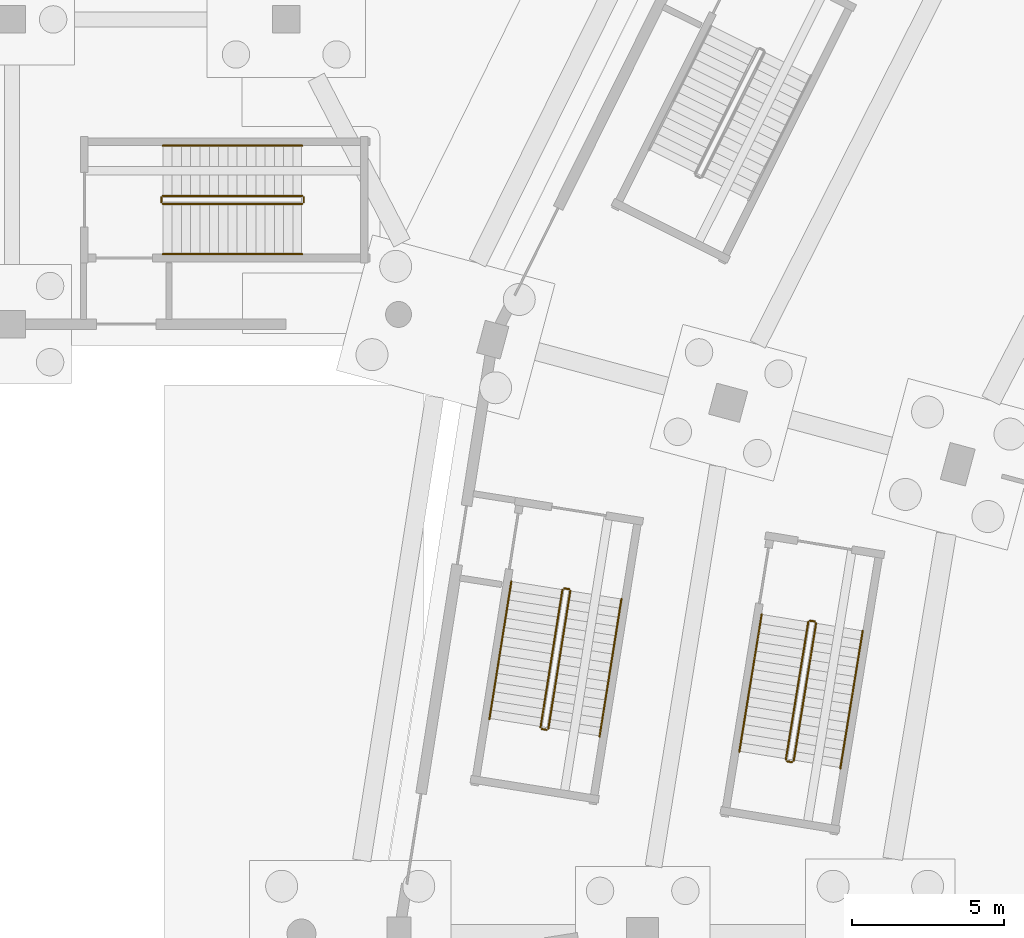
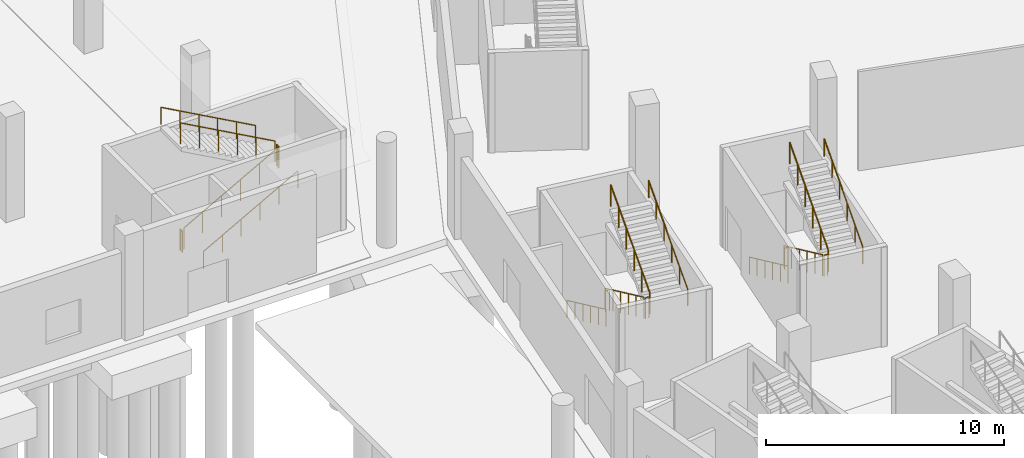
# One storey, part 67 of 103: 18 railings.
"""IFC4 building model written with IfcOpenShell, lengths in metres."""

import ifcopenshell
import ifcopenshell.guid

model = None  # the IFC model being written
_history = None  # IfcOwnerHistory: only IFC2X3 demands one
_inside = {}  # id of a spatial element -> (the spatial element, [elements in it])
_under = {}  # id of a project, library or spatial element -> (it, [spatial elements below it])
_declared = {}  # id of a project -> (the project, [libraries it declares])
_typed = {}  # id of a type object -> (the type object, [elements of that type])
_made_of = {}  # id of a material, layer set ... -> (it, [elements and type objects made of it])


def new_model(schema):
    """Start an empty IFC model of exactly this schema.

    Asked for "IFC4X3", IfcOpenShell would pick the latest addendum, in which some entities
    have other attributes; the version numbers below select the first issue.
    IFC2X3 requires an IfcOwnerHistory on every rooted entity: one is made here for all.
    """
    global model, _history
    if schema == "IFC4X3":
        model = ifcopenshell.file(schema_version=(4, 3, 0, 0))
    else:
        model = ifcopenshell.file(schema=schema)
    _inside.clear()
    _under.clear()
    _declared.clear()
    _typed.clear()
    _made_of.clear()
    _history = None
    if model.schema == "IFC2X3":
        org = make("IfcOrganization", Name="unknown")
        user = make(
            "IfcPersonAndOrganization",
            ThePerson=make("IfcPerson", FamilyName="unknown"),
            TheOrganization=org,
        )
        app = make(
            "IfcApplication",
            ApplicationDeveloper=org,
            Version="unknown",
            ApplicationFullName="unknown",
            ApplicationIdentifier="unknown",
        )
        _history = make(
            "IfcOwnerHistory",
            OwningUser=user,
            OwningApplication=app,
            ChangeAction="ADDED",
            CreationDate=0,
        )
    return model


def make(cls, **values):
    """One entity of the class cls with the attributes given. An attribute that is None is left unset."""
    return model.create_entity(
        cls, **{name: value for name, value in values.items() if value is not None}
    )


def rooted(cls, **values):
    """An entity with a GlobalId (a new one), such as an element, a storey or a relation."""
    return make(cls, GlobalId=ifcopenshell.guid.new(), OwnerHistory=_history, **values)


def si_unit(unit_type, name, prefix=None):
    """IfcSIUnit, for example si_unit("LENGTHUNIT", "METRE", prefix="MILLI")."""
    return make("IfcSIUnit", UnitType=unit_type, Prefix=prefix, Name=name)


def assignment(units):
    """IfcUnitAssignment: the units of a project."""
    return None if units is None else make("IfcUnitAssignment", Units=units)


def point(xyz):
    """IfcCartesianPoint."""
    return None if xyz is None else make("IfcCartesianPoint", Coordinates=xyz)


def direction(xyz):
    """IfcDirection."""
    return None if xyz is None else make("IfcDirection", DirectionRatios=xyz)


def frame(location, z_axis=None, x_axis=None):
    """IfcAxis2Placement3D, a coordinate frame: its origin and axes. An axis left out is left unset."""
    return make(
        "IfcAxis2Placement3D",
        Location=point(location),
        Axis=direction(z_axis),
        RefDirection=direction(x_axis),
    )


def frame_2d(location, x_axis=None):
    """IfcAxis2Placement2D, a coordinate frame in the plane: its origin and x axis."""
    return make(
        "IfcAxis2Placement2D", Location=point(location), RefDirection=direction(x_axis)
    )


def origin():
    """The frame at (0, 0, 0) with its axes left unset."""
    return frame((0.0, 0.0, 0.0))


def origin_2d():
    """The frame at (0, 0) in the plane with its x axis left unset."""
    return frame_2d((0.0, 0.0))


def place(relative_to, where):
    """IfcLocalPlacement: puts the frame where relative to a parent placement (None: the world)."""
    return make(
        "IfcLocalPlacement", PlacementRelTo=relative_to, RelativePlacement=where
    )


def context(
    kind, dimensions, precision=None, world=None, true_north=None, identifier=None
):
    """IfcGeometricRepresentationContext, for example the 3D "Model" context."""
    return make(
        "IfcGeometricRepresentationContext",
        ContextIdentifier=identifier,
        ContextType=kind,
        CoordinateSpaceDimension=dimensions,
        Precision=precision,
        WorldCoordinateSystem=world,
        TrueNorth=true_north,
    )


def subcontext(parent, identifier, kind, view, scale=None):
    """IfcGeometricRepresentationSubContext, for example "Body" below "Model"."""
    return make(
        "IfcGeometricRepresentationSubContext",
        ContextIdentifier=identifier,
        ContextType=kind,
        ParentContext=parent,
        TargetScale=scale,
        TargetView=view,
    )


def project(units=None, contexts=None):
    """IfcProject with its units and contexts."""
    return rooted(
        "IfcProject",
        Name="project",
        RepresentationContexts=contexts,
        UnitsInContext=assignment(units),
    )


def spatial(cls, under=None, at=None, **own):
    """A site, building, storey or space (cls), placed at a placement, below another one or the project."""
    s = rooted(cls, ObjectPlacement=at, **own)
    if under is not None:
        _under.setdefault(under.id(), (under, []))[1].append(s)
    return s


def profile(cls, at=None, kind="AREA", **sizes):
    """A parametric profile (cls). Its sizes go by their IFC names, for example OverallWidth=200.0."""
    return make(cls, ProfileType=kind, Position=at, **sizes)


def circle(**sizes):
    """IfcCircleProfileDef."""
    return profile("IfcCircleProfileDef", **sizes)


def extrude(swept, where, along, depth):
    """IfcExtrudedAreaSolid: the profile swept, set in the frame where, extruded along a direction by depth."""
    return make(
        "IfcExtrudedAreaSolid",
        SweptArea=swept,
        Position=where,
        ExtrudedDirection=direction(along),
        Depth=depth,
    )


def shape(context_of_items, identifier, shape_type, items):
    """IfcShapeRepresentation: the items that make up one representation, for example the "Body"."""
    return make(
        "IfcShapeRepresentation",
        ContextOfItems=context_of_items,
        RepresentationIdentifier=identifier,
        RepresentationType=shape_type,
        Items=items,
    )


def material(Name=None, Category=None):
    """IfcMaterial."""
    return make("IfcMaterial", Name=Name, Category=Category)


def made_of(thing, what):
    """Note that an element or type object is made of a material, layer set ...; save() writes the relation."""
    if what is not None:
        _made_of.setdefault(what.id(), (what, []))[1].append(thing)
    return thing


def type_object(cls, material=None, **own):
    """A type object (cls), such as IfcWallType, which elements share."""
    return made_of(rooted(cls, **own), material)


def element(
    cls,
    number,
    at=None,
    inside=None,
    cuts=None,
    type_object=None,
    material=None,
    context=None,
    identifier="Body",
    shape_type=None,
    held_by="IfcProductDefinitionShape",
    body=None,
    shapes=None,
    **own,
):
    """One element of the class cls, such as IfcWall. Its Tag is "e" and its number.

    at: its placement. inside: the storey or other place that contains it. cuts: it is an
    opening in that element (IfcRelVoidsElement). A single representation is given by context,
    identifier, shape_type and body (its items); several are given by shapes. held_by: the class
    of the entity that holds the representations. save() writes the other relations.
    """
    e = rooted(cls, Tag="e%d" % number, ObjectPlacement=at, **own)
    if body is not None:
        shapes = [shape(context, identifier, shape_type, body)]
    if shapes is not None:
        e.Representation = make(held_by, Representations=shapes)
    if inside is not None:
        _inside.setdefault(inside.id(), (inside, []))[1].append(e)
    if cuts is not None:
        rooted(
            "IfcRelVoidsElement", RelatingBuildingElement=cuts, RelatedOpeningElement=e
        )
    if type_object is not None:
        _typed.setdefault(type_object.id(), (type_object, []))[1].append(e)
    return made_of(e, material)


def aggregate(whole, parts):
    """IfcRelAggregates: a whole, such as a stair, and the parts it consists of."""
    return rooted("IfcRelAggregates", RelatingObject=whole, RelatedObjects=parts)


def save(model, path):
    """Write the relations noted so far, then the file.

    IfcRelAggregates (storeys below a building ...), IfcRelContainedInSpatialStructure (elements
    in a storey), IfcRelDefinesByType, IfcRelAssociatesMaterial and IfcRelDeclares: one each for
    every whole, place, type object, material and project.
    """
    for whole, parts in _under.values():
        aggregate(whole, parts)
    for where, things in _inside.values():
        rooted(
            "IfcRelContainedInSpatialStructure",
            RelatedElements=things,
            RelatingStructure=where,
        )
    for kind, things in _typed.values():
        rooted("IfcRelDefinesByType", RelatedObjects=things, RelatingType=kind)
    for what, things in _made_of.values():
        rooted("IfcRelAssociatesMaterial", RelatedObjects=things, RelatingMaterial=what)
    for by, libraries in _declared.values():
        rooted("IfcRelDeclares", RelatingContext=by, RelatedDefinitions=libraries)
    model.write(path)


model = new_model("IFC4")

# Units and contexts
model_context = context("Model", 3, precision=1e-05, world=origin(), true_north=direction((0.0, 1.0)))
body_context = subcontext(model_context, "Body", "Model", "MODEL_VIEW")
ifc_project = project(units=[si_unit("LENGTHUNIT", "METRE"), si_unit("AREAUNIT", "SQUARE_METRE"), si_unit("VOLUMEUNIT", "CUBIC_METRE"), si_unit("PLANEANGLEUNIT", "RADIAN"), si_unit("MASSUNIT", "GRAM", prefix="KILO")], contexts=[model_context])

# Site, building, storey
site_placement = place(None, origin())
site = spatial("IfcSite", under=ifc_project, at=site_placement, CompositionType="ELEMENT")
building_placement = place(site_placement, origin())
building = spatial("IfcBuilding", under=site, at=building_placement, Name="Zevraka Park Crest Stadium", CompositionType="ELEMENT")
storey_placement = place(building_placement, origin())
storey = spatial("IfcBuildingStorey", under=building, at=storey_placement, Name="L00", CompositionType="ELEMENT", Elevation=0.0)

# Railings
ifc_material_1 = material(Name="Powder-coated tubular steel stairwell guard", Category="steel")
railing_type_1 = type_object("IfcRailingType", Name="GR03", PredefinedType="GUARDRAIL", material=ifc_material_1)
railing_1_placement = place(storey_placement, frame((27.066162109375, 103.285888671875, 0.168701171875)))
element("IfcRailing", 1, at=railing_1_placement, inside=storey, type_object=railing_type_1, Name="L00 ST12 stair guard 1", PredefinedType="GUARDRAIL", context=body_context, shape_type="SweptSolid", body=[
    extrude(circle(Radius=0.02392578125, at=origin_2d()), frame((0.0, 0.0, 1.076171875), z_axis=(-0.137606314293, -0.864113489075, 0.484120212619), x_axis=(0.987556583672, -0.157264090137, 0.0)), (0.0, 0.0, 1.0), 5.228515625),
    extrude(circle(Radius=0.02099609375, at=origin_2d()), origin(), (0.0, 0.0, 1.0), 1.052001953125),
    extrude(circle(Radius=0.02099609375, at=origin_2d()), frame((-0.143798828125, -0.903564453125, 0.50634765625)), (0.0, 0.0, 1.0), 1.052001953125),
    extrude(circle(Radius=0.02099609375, at=origin_2d()), frame((-0.287841796875, -1.80712890625, 1.012451171875)), (0.0, 0.0, 1.0), 1.052001953125),
    extrude(circle(Radius=0.02099609375, at=origin_2d()), frame((-0.431640625, -2.7109375, 1.518798828125)), (0.0, 0.0, 1.0), 1.052001953125),
    extrude(circle(Radius=0.02099609375, at=origin_2d()), frame((-0.57568359375, -3.614501953125, 2.02490234375)), (0.0, 0.0, 1.0), 1.052001953125),
    extrude(circle(Radius=0.02099609375, at=origin_2d()), frame((-0.719482421875, -4.51806640625, 2.53125)), (0.0, 0.0, 1.0), 1.052001953125),
])
railing_2_placement = place(storey_placement, frame((26.38818359375, 98.710693359375, 2.699951171875)))
element("IfcRailing", 2, at=railing_2_placement, inside=storey, type_object=railing_type_1, Name="L00 ST12 stair guard 2", PredefinedType="GUARDRAIL", context=body_context, shape_type="SweptSolid", body=[
    extrude(circle(Radius=0.02392578125, at=origin_2d()), frame((0.0, 0.0, 1.076171875), z_axis=(0.987326101707, -0.158704659316, 0.0), x_axis=(0.158704659316, 0.987326101707, 0.0)), (0.0, 0.0, 1.0), 0.159912109375),
    extrude(circle(Radius=0.02099609375, at=origin_2d()), origin(), (0.0, 0.0, 1.0), 1.052001953125),
    extrude(circle(Radius=0.02099609375, at=origin_2d()), frame((0.157958984375, -0.025390625, 0.0)), (0.0, 0.0, 1.0), 1.052001953125),
])
railing_3_placement = place(storey_placement, frame((26.603271484375, 98.72705078125, 2.86865234375)))
element("IfcRailing", 3, at=railing_3_placement, inside=storey, type_object=railing_type_1, Name="L00 ST12 stair guard 3", PredefinedType="GUARDRAIL", context=body_context, shape_type="SweptSolid", body=[
    extrude(circle(Radius=0.02392578125, at=origin_2d()), frame((0.0, 0.0, 1.076171875), z_axis=(0.137606314293, 0.864113489075, 0.484120212619), x_axis=(-0.987556583672, 0.157264090137, 0.0)), (0.0, 0.0, 1.0), 5.228515625),
    extrude(circle(Radius=0.02099609375, at=origin_2d()), origin(), (0.0, 0.0, 1.0), 1.052001953125),
    extrude(circle(Radius=0.02099609375, at=origin_2d()), frame((0.143798828125, 0.903564453125, 0.50634765625)), (0.0, 0.0, 1.0), 1.052001953125),
    extrude(circle(Radius=0.02099609375, at=origin_2d()), frame((0.287841796875, 1.80712890625, 1.012451171875)), (0.0, 0.0, 1.0), 1.052001953125),
    extrude(circle(Radius=0.02099609375, at=origin_2d()), frame((0.431640625, 2.7109375, 1.518798828125)), (0.0, 0.0, 1.0), 1.052001953125),
    extrude(circle(Radius=0.02099609375, at=origin_2d()), frame((0.57568359375, 3.614501953125, 2.02490234375)), (0.0, 0.0, 1.0), 1.052001953125),
    extrude(circle(Radius=0.02099609375, at=origin_2d()), frame((0.719482421875, 4.51806640625, 2.53125)), (0.0, 0.0, 1.0), 1.052001953125),
])
railing_4_placement = place(storey_placement, frame((27.123291015625, 103.327392578125, 0.0)))
element("IfcRailing", 4, at=railing_4_placement, inside=storey, type_object=railing_type_1, Name="L00 ST12 stair guard 4", PredefinedType="GUARDRAIL", context=body_context, shape_type="SweptSolid", body=[
    extrude(circle(Radius=0.02392578125, at=origin_2d()), frame((0.0, 0.0, 1.076171875), z_axis=(0.987564153079, -0.157216549872, 0.0), x_axis=(0.157216549872, 0.987564153079, 0.0)), (0.0, 0.0, 1.0), 0.159912109375),
    extrude(circle(Radius=0.02099609375, at=origin_2d()), origin(), (0.0, 0.0, 1.0), 1.052001953125),
    extrude(circle(Radius=0.02099609375, at=origin_2d()), frame((0.157958984375, -0.025146484375, 0.0)), (0.0, 0.0, 1.0), 1.052001953125),
])
railing_5_placement = place(storey_placement, frame((35.133544921875, 102.224609375, 0.168701171875)))
element("IfcRailing", 5, at=railing_5_placement, inside=storey, type_object=railing_type_1, Name="L00 ST38 stair guard 1", PredefinedType="GUARDRAIL", context=body_context, shape_type="SweptSolid", body=[
    extrude(circle(Radius=0.02392578125, at=origin_2d()), frame((0.0, 0.0, 1.076171875), z_axis=(-0.140644421188, -0.863618383089, 0.484130597235), x_axis=(0.986997230318, -0.160737261839, 0.0)), (0.0, 0.0, 1.0), 5.228515625),
    extrude(circle(Radius=0.02099609375, at=origin_2d()), origin(), (0.0, 0.0, 1.0), 1.052001953125),
    extrude(circle(Radius=0.02099609375, at=origin_2d()), frame((-0.14697265625, -0.903076171875, 0.50634765625)), (0.0, 0.0, 1.0), 1.052001953125),
    extrude(circle(Radius=0.02099609375, at=origin_2d()), frame((-0.294189453125, -1.80615234375, 1.012451171875)), (0.0, 0.0, 1.0), 1.052001953125),
    extrude(circle(Radius=0.02099609375, at=origin_2d()), frame((-0.441162109375, -2.709228515625, 1.518798828125)), (0.0, 0.0, 1.0), 1.052001953125),
    extrude(circle(Radius=0.02099609375, at=origin_2d()), frame((-0.58837890625, -3.6123046875, 2.02490234375)), (0.0, 0.0, 1.0), 1.052001953125),
    extrude(circle(Radius=0.02099609375, at=origin_2d()), frame((-0.7353515625, -4.515380859375, 2.53125)), (0.0, 0.0, 1.0), 1.052001953125),
])
railing_6_placement = place(storey_placement, frame((34.439453125, 97.65185546875, 2.699951171875)))
element("IfcRailing", 6, at=railing_6_placement, inside=storey, type_object=railing_type_1, Name="L00 ST38 stair guard 2", PredefinedType="GUARDRAIL", context=body_context, shape_type="SweptSolid", body=[
    extrude(circle(Radius=0.02392578125, at=origin_2d()), frame((0.0, 0.0, 1.076171875), z_axis=(0.986843627435, -0.161677626751, 0.0), x_axis=(0.161677626751, 0.986843627435, 0.0)), (0.0, 0.0, 1.0), 0.16015625),
    extrude(circle(Radius=0.02099609375, at=origin_2d()), origin(), (0.0, 0.0, 1.0), 1.052001953125),
    extrude(circle(Radius=0.02099609375, at=origin_2d()), frame((0.157958984375, -0.02587890625, 0.0)), (0.0, 0.0, 1.0), 1.052001953125),
])
railing_7_placement = place(storey_placement, frame((34.65478515625, 97.66748046875, 2.86865234375)))
element("IfcRailing", 7, at=railing_7_placement, inside=storey, type_object=railing_type_1, Name="L00 ST38 stair guard 3", PredefinedType="GUARDRAIL", context=body_context, shape_type="SweptSolid", body=[
    extrude(circle(Radius=0.02392578125, at=origin_2d()), frame((0.0, 0.0, 1.076171875), z_axis=(0.140644421188, 0.863618383089, 0.484130597235), x_axis=(-0.986997230318, 0.160737261839, 0.0)), (0.0, 0.0, 1.0), 5.228515625),
    extrude(circle(Radius=0.02099609375, at=origin_2d()), origin(), (0.0, 0.0, 1.0), 1.052001953125),
    extrude(circle(Radius=0.02099609375, at=origin_2d()), frame((0.14697265625, 0.903076171875, 0.50634765625)), (0.0, 0.0, 1.0), 1.052001953125),
    extrude(circle(Radius=0.02099609375, at=origin_2d()), frame((0.294189453125, 1.80615234375, 1.012451171875)), (0.0, 0.0, 1.0), 1.052001953125),
    extrude(circle(Radius=0.02099609375, at=origin_2d()), frame((0.441162109375, 2.709228515625, 1.518798828125)), (0.0, 0.0, 1.0), 1.052001953125),
    extrude(circle(Radius=0.02099609375, at=origin_2d()), frame((0.58837890625, 3.6123046875, 2.02490234375)), (0.0, 0.0, 1.0), 1.052001953125),
    extrude(circle(Radius=0.02099609375, at=origin_2d()), frame((0.7353515625, 4.515380859375, 2.53125)), (0.0, 0.0, 1.0), 1.052001953125),
])
railing_8_placement = place(storey_placement, frame((35.19091796875, 102.26611328125, 0.0)))
element("IfcRailing", 8, at=railing_8_placement, inside=storey, type_object=railing_type_1, Name="L00 ST38 stair guard 4", PredefinedType="GUARDRAIL", context=body_context, shape_type="SweptSolid", body=[
    extrude(circle(Radius=0.02392578125, at=origin_2d()), frame((0.0, 0.0, 1.076171875), z_axis=(0.986843627435, -0.161677626751, 0.0), x_axis=(0.161677626751, 0.986843627435, 0.0)), (0.0, 0.0, 1.0), 0.16015625),
    extrude(circle(Radius=0.02099609375, at=origin_2d()), origin(), (0.0, 0.0, 1.0), 1.052001953125),
    extrude(circle(Radius=0.02099609375, at=origin_2d()), frame((0.157958984375, -0.02587890625, 0.0)), (0.0, 0.0, 1.0), 1.052001953125),
])
railing_9_placement = place(storey_placement, frame((13.949951171875, 115.949951171875, 0.168701171875)))
element("IfcRailing", 9, at=railing_9_placement, inside=storey, type_object=railing_type_1, Name="L00 ST48 stair guard 1", PredefinedType="GUARDRAIL", context=body_context, shape_type="SweptSolid", body=[
    extrude(circle(Radius=0.02392578125, at=origin_2d()), frame((0.0, 0.0, 1.076171875), z_axis=(0.874999533545, 0.0, 0.484123761342), x_axis=(0.0, 1.0, 0.0)), (0.0, 0.0, 1.0), 5.228515625),
    extrude(circle(Radius=0.02099609375, at=origin_2d()), origin(), (0.0, 0.0, 1.0), 1.052001953125),
    extrude(circle(Radius=0.02099609375, at=origin_2d()), frame((0.9150390625, 0.0, 0.50634765625)), (0.0, 0.0, 1.0), 1.052001953125),
    extrude(circle(Radius=0.02099609375, at=origin_2d()), frame((1.830078125, 0.0, 1.012451171875)), (0.0, 0.0, 1.0), 1.052001953125),
    extrude(circle(Radius=0.02099609375, at=origin_2d()), frame((2.744873046875, 0.0, 1.518798828125)), (0.0, 0.0, 1.0), 1.052001953125),
    extrude(circle(Radius=0.02099609375, at=origin_2d()), frame((3.659912109375, 0.0, 2.02490234375)), (0.0, 0.0, 1.0), 1.052001953125),
    extrude(circle(Radius=0.02099609375, at=origin_2d()), frame((4.574951171875, 0.0, 2.53125)), (0.0, 0.0, 1.0), 1.052001953125),
])
railing_10_placement = place(storey_placement, frame((18.574951171875, 116.0, 2.699951171875)))
element("IfcRailing", 10, at=railing_10_placement, inside=storey, type_object=railing_type_1, Name="L00 ST48 stair guard 2", PredefinedType="GUARDRAIL", context=body_context, shape_type="SweptSolid", body=[
    extrude(circle(Radius=0.02392578125, at=origin_2d()), frame((0.0, 0.0, 1.076171875), z_axis=(0.0, 1.0, 0.0), x_axis=(-1.0, 0.0, 0.0)), (0.0, 0.0, 1.0), 0.159912109375),
    extrude(circle(Radius=0.02099609375, at=origin_2d()), origin(), (0.0, 0.0, 1.0), 1.052001953125),
    extrude(circle(Radius=0.02099609375, at=origin_2d()), frame((0.0, 0.159912109375, 0.0)), (0.0, 0.0, 1.0), 1.052001953125),
])
railing_11_placement = place(storey_placement, frame((18.52490234375, 116.2099609375, 2.86865234375)))
element("IfcRailing", 11, at=railing_11_placement, inside=storey, type_object=railing_type_1, Name="L00 ST48 stair guard 3", PredefinedType="GUARDRAIL", context=body_context, shape_type="SweptSolid", body=[
    extrude(circle(Radius=0.02392578125, at=origin_2d()), frame((0.0, 0.0, 1.076171875), z_axis=(-0.874999533545, 0.0, 0.484123761342), x_axis=(0.0, -1.0, 0.0)), (0.0, 0.0, 1.0), 5.228515625),
    extrude(circle(Radius=0.02099609375, at=origin_2d()), origin(), (0.0, 0.0, 1.0), 1.052001953125),
    extrude(circle(Radius=0.02099609375, at=origin_2d()), frame((-0.9150390625, 0.0, 0.50634765625)), (0.0, 0.0, 1.0), 1.052001953125),
    extrude(circle(Radius=0.02099609375, at=origin_2d()), frame((-1.830078125, 0.0, 1.012451171875)), (0.0, 0.0, 1.0), 1.052001953125),
    extrude(circle(Radius=0.02099609375, at=origin_2d()), frame((-2.744873046875, 0.0, 1.518798828125)), (0.0, 0.0, 1.0), 1.052001953125),
    extrude(circle(Radius=0.02099609375, at=origin_2d()), frame((-3.659912109375, 0.0, 2.02490234375)), (0.0, 0.0, 1.0), 1.052001953125),
    extrude(circle(Radius=0.02099609375, at=origin_2d()), frame((-4.574951171875, 0.0, 2.53125)), (0.0, 0.0, 1.0), 1.052001953125),
])
railing_12_placement = place(storey_placement, frame((13.89990234375, 116.0, 0.0)))
element("IfcRailing", 12, at=railing_12_placement, inside=storey, type_object=railing_type_1, Name="L00 ST48 stair guard 4", PredefinedType="GUARDRAIL", context=body_context, shape_type="SweptSolid", body=[
    extrude(circle(Radius=0.02392578125, at=origin_2d()), frame((0.0, 0.0, 1.076171875), z_axis=(0.0, 1.0, 0.0), x_axis=(-1.0, 0.0, 0.0)), (0.0, 0.0, 1.0), 0.159912109375),
    extrude(circle(Radius=0.02099609375, at=origin_2d()), origin(), (0.0, 0.0, 1.0), 1.052001953125),
    extrude(circle(Radius=0.02099609375, at=origin_2d()), frame((0.0, 0.159912109375, 0.0)), (0.0, 0.0, 1.0), 1.052001953125),
])
ifc_material_2 = material(Name="Brushed stainless steel continuous handrail", Category="steel")
railing_type_2 = type_object("IfcRailingType", Name="HR01", PredefinedType="HANDRAIL", material=ifc_material_2)
railing_13_placement = place(storey_placement, frame((25.38720703125, 103.55322265625, 0.168701171875)))
element("IfcRailing", 13, at=railing_13_placement, inside=storey, type_object=railing_type_2, Name="L00 ST12 stair handrail 1", PredefinedType="HANDRAIL", context=body_context, shape_type="SweptSolid", body=[
    extrude(circle(Radius=0.02392578125, at=origin_2d()), frame((0.0, 0.0, 0.8759765625), z_axis=(-0.137606314293, -0.864113489075, 0.484120212619), x_axis=(0.987556583672, -0.157264090137, 0.0)), (0.0, 0.0, 1.0), 5.228515625),
    extrude(circle(Radius=0.02099609375, at=origin_2d()), origin(), (0.0, 0.0, 1.0), 0.851806640625),
    extrude(circle(Radius=0.02099609375, at=origin_2d()), frame((-0.143798828125, -0.903564453125, 0.50634765625)), (0.0, 0.0, 1.0), 0.851806640625),
    extrude(circle(Radius=0.02099609375, at=origin_2d()), frame((-0.287841796875, -1.80712890625, 1.012451171875)), (0.0, 0.0, 1.0), 0.851806640625),
    extrude(circle(Radius=0.02099609375, at=origin_2d()), frame((-0.431640625, -2.7109375, 1.518798828125)), (0.0, 0.0, 1.0), 0.851806640625),
    extrude(circle(Radius=0.02099609375, at=origin_2d()), frame((-0.57568359375, -3.614501953125, 2.02490234375)), (0.0, 0.0, 1.0), 0.851806640625),
    extrude(circle(Radius=0.02099609375, at=origin_2d()), frame((-0.719482421875, -4.51806640625, 2.53125)), (0.0, 0.0, 1.0), 0.851806640625),
])
railing_14_placement = place(storey_placement, frame((28.2822265625, 98.45947265625, 2.86865234375)))
element("IfcRailing", 14, at=railing_14_placement, inside=storey, type_object=railing_type_2, Name="L00 ST12 stair handrail 2", PredefinedType="HANDRAIL", context=body_context, shape_type="SweptSolid", body=[
    extrude(circle(Radius=0.02392578125, at=origin_2d()), frame((0.0, 0.0, 0.8759765625), z_axis=(0.13760076225, 0.864125316239, 0.484100679676), x_axis=(-0.987557903369, 0.157255802736, 0.0)), (0.0, 0.0, 1.0), 5.228759765625),
    extrude(circle(Radius=0.02099609375, at=origin_2d()), origin(), (0.0, 0.0, 1.0), 0.851806640625),
    extrude(circle(Radius=0.02099609375, at=origin_2d()), frame((0.143798828125, 0.903564453125, 0.50634765625)), (0.0, 0.0, 1.0), 0.851806640625),
    extrude(circle(Radius=0.02099609375, at=origin_2d()), frame((0.287841796875, 1.807373046875, 1.012451171875)), (0.0, 0.0, 1.0), 0.851806640625),
    extrude(circle(Radius=0.02099609375, at=origin_2d()), frame((0.431640625, 2.7109375, 1.518798828125)), (0.0, 0.0, 1.0), 0.851806640625),
    extrude(circle(Radius=0.02099609375, at=origin_2d()), frame((0.57568359375, 3.61474609375, 2.02490234375)), (0.0, 0.0, 1.0), 0.851806640625),
    extrude(circle(Radius=0.02099609375, at=origin_2d()), frame((0.719482421875, 4.518310546875, 2.53125)), (0.0, 0.0, 1.0), 0.851806640625),
])
railing_15_placement = place(storey_placement, frame((33.603515625, 102.473876953125, 0.168701171875)))
element("IfcRailing", 15, at=railing_15_placement, inside=storey, type_object=railing_type_2, Name="L00 ST38 stair handrail 1", PredefinedType="HANDRAIL", context=body_context, shape_type="SweptSolid", body=[
    extrude(circle(Radius=0.02392578125, at=origin_2d()), frame((0.0, 0.0, 0.8759765625), z_axis=(-0.140592979981, -0.863635920866, 0.484114253219), x_axis=(0.987007073121, -0.160676811049, 0.0)), (0.0, 0.0, 1.0), 5.228515625),
    extrude(circle(Radius=0.02099609375, at=origin_2d()), origin(), (0.0, 0.0, 1.0), 0.851806640625),
    extrude(circle(Radius=0.02099609375, at=origin_2d()), frame((-0.14697265625, -0.903076171875, 0.50634765625)), (0.0, 0.0, 1.0), 0.851806640625),
    extrude(circle(Radius=0.02099609375, at=origin_2d()), frame((-0.2939453125, -1.80615234375, 1.012451171875)), (0.0, 0.0, 1.0), 0.851806640625),
    extrude(circle(Radius=0.02099609375, at=origin_2d()), frame((-0.441162109375, -2.70947265625, 1.518798828125)), (0.0, 0.0, 1.0), 0.851806640625),
    extrude(circle(Radius=0.02099609375, at=origin_2d()), frame((-0.588134765625, -3.612548828125, 2.02490234375)), (0.0, 0.0, 1.0), 0.851806640625),
    extrude(circle(Radius=0.02099609375, at=origin_2d()), frame((-0.735107421875, -4.515625, 2.53125)), (0.0, 0.0, 1.0), 0.851806640625),
])
railing_16_placement = place(storey_placement, frame((36.184814453125, 97.418212890625, 2.86865234375)))
element("IfcRailing", 16, at=railing_16_placement, inside=storey, type_object=railing_type_2, Name="L00 ST38 stair handrail 2", PredefinedType="HANDRAIL", context=body_context, shape_type="SweptSolid", body=[
    extrude(circle(Radius=0.02392578125, at=origin_2d()), frame((0.0, 0.0, 0.8759765625), z_axis=(0.140592979981, 0.863635920866, 0.484114253219), x_axis=(-0.987007073121, 0.160676811049, 0.0)), (0.0, 0.0, 1.0), 5.228515625),
    extrude(circle(Radius=0.02099609375, at=origin_2d()), origin(), (0.0, 0.0, 1.0), 0.851806640625),
    extrude(circle(Radius=0.02099609375, at=origin_2d()), frame((0.14697265625, 0.903076171875, 0.50634765625)), (0.0, 0.0, 1.0), 0.851806640625),
    extrude(circle(Radius=0.02099609375, at=origin_2d()), frame((0.2939453125, 1.80615234375, 1.012451171875)), (0.0, 0.0, 1.0), 0.851806640625),
    extrude(circle(Radius=0.02099609375, at=origin_2d()), frame((0.441162109375, 2.70947265625, 1.518798828125)), (0.0, 0.0, 1.0), 0.851806640625),
    extrude(circle(Radius=0.02099609375, at=origin_2d()), frame((0.588134765625, 3.612548828125, 2.02490234375)), (0.0, 0.0, 1.0), 0.851806640625),
    extrude(circle(Radius=0.02099609375, at=origin_2d()), frame((0.735107421875, 4.515625, 2.53125)), (0.0, 0.0, 1.0), 0.851806640625),
])
railing_17_placement = place(storey_placement, frame((13.949951171875, 114.300048828125, 0.168701171875)))
element("IfcRailing", 17, at=railing_17_placement, inside=storey, type_object=railing_type_2, Name="L00 ST48 stair handrail 1", PredefinedType="HANDRAIL", context=body_context, shape_type="SweptSolid", body=[
    extrude(circle(Radius=0.02392578125, at=origin_2d()), frame((0.0, 0.0, 0.8759765625), z_axis=(0.874999533545, 0.0, 0.484123761342), x_axis=(0.0, 1.0, 0.0)), (0.0, 0.0, 1.0), 5.228515625),
    extrude(circle(Radius=0.02099609375, at=origin_2d()), origin(), (0.0, 0.0, 1.0), 0.851806640625),
    extrude(circle(Radius=0.02099609375, at=origin_2d()), frame((0.9150390625, 0.0, 0.50634765625)), (0.0, 0.0, 1.0), 0.851806640625),
    extrude(circle(Radius=0.02099609375, at=origin_2d()), frame((1.830078125, 0.0, 1.012451171875)), (0.0, 0.0, 1.0), 0.851806640625),
    extrude(circle(Radius=0.02099609375, at=origin_2d()), frame((2.744873046875, 0.0, 1.518798828125)), (0.0, 0.0, 1.0), 0.851806640625),
    extrude(circle(Radius=0.02099609375, at=origin_2d()), frame((3.659912109375, 0.0, 2.02490234375)), (0.0, 0.0, 1.0), 0.851806640625),
    extrude(circle(Radius=0.02099609375, at=origin_2d()), frame((4.574951171875, 0.0, 2.53125)), (0.0, 0.0, 1.0), 0.851806640625),
])
railing_18_placement = place(storey_placement, frame((18.52490234375, 117.860107421875, 2.86865234375)))
element("IfcRailing", 18, at=railing_18_placement, inside=storey, type_object=railing_type_2, Name="L00 ST48 stair handrail 2", PredefinedType="HANDRAIL", context=body_context, shape_type="SweptSolid", body=[
    extrude(circle(Radius=0.02392578125, at=origin_2d()), frame((0.0, 0.0, 0.8759765625), z_axis=(-0.874999533545, 0.0, 0.484123761342), x_axis=(0.0, -1.0, 0.0)), (0.0, 0.0, 1.0), 5.228515625),
    extrude(circle(Radius=0.02099609375, at=origin_2d()), origin(), (0.0, 0.0, 1.0), 0.851806640625),
    extrude(circle(Radius=0.02099609375, at=origin_2d()), frame((-0.9150390625, 0.0, 0.50634765625)), (0.0, 0.0, 1.0), 0.851806640625),
    extrude(circle(Radius=0.02099609375, at=origin_2d()), frame((-1.830078125, 0.0, 1.012451171875)), (0.0, 0.0, 1.0), 0.851806640625),
    extrude(circle(Radius=0.02099609375, at=origin_2d()), frame((-2.744873046875, 0.0, 1.518798828125)), (0.0, 0.0, 1.0), 0.851806640625),
    extrude(circle(Radius=0.02099609375, at=origin_2d()), frame((-3.659912109375, 0.0, 2.02490234375)), (0.0, 0.0, 1.0), 0.851806640625),
    extrude(circle(Radius=0.02099609375, at=origin_2d()), frame((-4.574951171875, 0.0, 2.53125)), (0.0, 0.0, 1.0), 0.851806640625),
])

save(model, "model.ifc")
